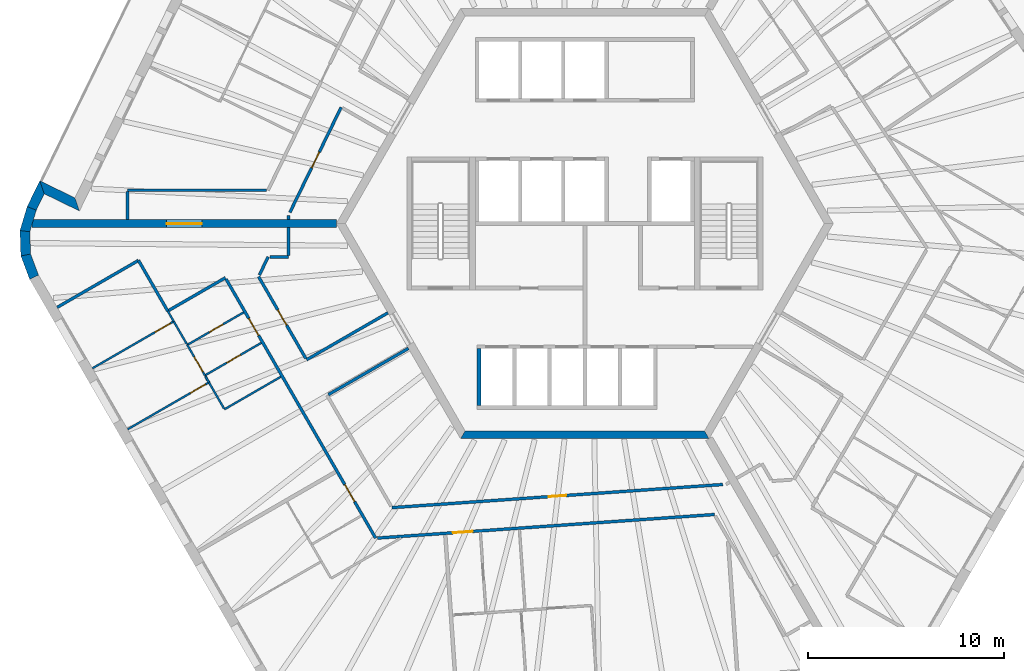
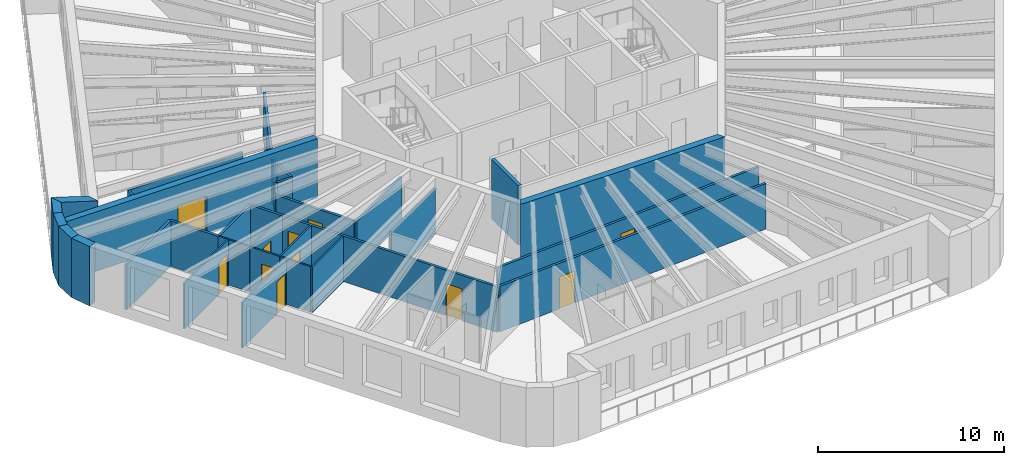
# One storey, part 4 of 12: 34 walls, 12 doors, 12 openings.
"""IFC4 building model written with IfcOpenShell, lengths in metres."""

from ifc_helpers import new_model, si_unit, direction, frame, frame_2d, origin, place, context, subcontext, project, spatial, polyline, rectangle, outline, extrude, material, layer, layer_set, type_object, element, fill, save


model = new_model("IFC4")

# Units and contexts
model_context = context("Model", 3, precision=1e-05, world=origin(), true_north=direction((0.0, 1.0)))
body_context = subcontext(model_context, "Body", "Model", "MODEL_VIEW")
ifc_project = project(units=[si_unit("LENGTHUNIT", "METRE"), si_unit("AREAUNIT", "SQUARE_METRE"), si_unit("VOLUMEUNIT", "CUBIC_METRE"), si_unit("PLANEANGLEUNIT", "RADIAN"), si_unit("MASSUNIT", "GRAM", prefix="KILO")], contexts=[model_context])

# Site, building, storey
site_placement = place(None, origin())
site = spatial("IfcSite", under=ifc_project, at=site_placement, CompositionType="ELEMENT")
building_placement = place(site_placement, origin())
building = spatial("IfcBuilding", under=site, at=building_placement, Name="Tarnside Tower", CompositionType="ELEMENT")
storey_placement = place(building_placement, frame((0.0, 0.0, 287.39990234375)))
storey = spatial("IfcBuildingStorey", under=building, at=storey_placement, Name="L69", CompositionType="ELEMENT", Elevation=287.39990234375)

# Walls
ifc_material_1 = material(Name="Gypsum board partition on steel studs", Category="steel")
ifc_layer_1 = layer(ifc_material_1, 0.10009765625)
ifc_layer_set_1 = layer_set([ifc_layer_1], Name="Bathroom wall 100")
wall_type_1 = type_object("IfcWallType", Name="Bathroom wall 100", PredefinedType="PARTITIONING", material=ifc_layer_set_1)
wall_1_placement = place(storey_placement, frame((-15.540283203125, -7.83349609375, 0.0), z_axis=(0.0, 0.0, 1.0), x_axis=(-0.866020521143, -0.500008456887, 0.0)))
element("IfcWall", 1, at=wall_1_placement, inside=storey, type_object=wall_type_1, Name="Bathroom wall 22118", PredefinedType="PARTITIONING", context=body_context, shape_type="SweptSolid", body=[
    extrude(rectangle(XDim=3.3251953125, YDim=0.10009765625, at=frame_2d((1.66259765625, 0.0))), origin(), (0.0, 0.0, 1.0), 2.98779296875),
])
wall_2_placement = place(storey_placement, frame((-18.44482421875, -9.45263671875, 0.0), z_axis=(0.0, 0.0, 1.0), x_axis=(-0.500024172624, 0.866011447264, 0.0)))
element("IfcWall", 2, at=wall_2_placement, inside=storey, type_object=wall_type_1, Name="Bathroom wall 22119", PredefinedType="PARTITIONING", context=body_context, shape_type="SweptSolid", body=[
    extrude(rectangle(XDim=1.541015625, YDim=0.10009765625, at=frame_2d((0.7705078125, 0.0))), origin(), (0.0, 0.0, 1.0), 2.98779296875),
])

# Wall, opening, door
wall_3_placement = place(storey_placement, frame((-17.440185546875, -4.54248046875, 0.0), z_axis=(0.0, 0.0, 1.0), x_axis=(-0.866020521143, -0.500008456887, 0.0)))
wall_3 = element("IfcWall", 3, at=wall_3_placement, inside=storey, type_object=wall_type_1, Name="Bathroom wall 22122", PredefinedType="PARTITIONING", context=body_context, shape_type="SweptSolid", body=[
    extrude(rectangle(XDim=3.3251953125, YDim=0.10009765625, at=frame_2d((1.66259765625, 0.0))), origin(), (0.0, 0.0, 1.0), 2.98779296875),
])
opening_1_placement = place(wall_3_placement, frame((1.22509765625, 0.0, 0.0)))
opening_1 = element("IfcOpeningElement", 4, at=opening_1_placement, cuts=wall_3, Name="Opening D-B1", PredefinedType="OPENING", context=body_context, shape_type="SweptSolid", body=[
    extrude(rectangle(XDim=0.800048828125, YDim=2.10009765625, at=frame_2d((0.39990234375, 1.050048828125))), frame((0.0, 0.06005859375, 0.0), z_axis=(0.0, -1.0, 0.0), x_axis=(1.0, 0.0, 0.0)), (0.0, 0.0, 1.0), 0.1201171875),
])
ifc_material_2 = material(Name="Timber door leaf", Category="wood")
door_type_1 = type_object("IfcDoorType", Name="Bathroom door 800", OperationType="NOTDEFINED", PredefinedType="DOOR", material=ifc_material_2)
door_1_placement = place(opening_1_placement, origin())
door_1 = element("IfcDoor", 5, at=door_1_placement, inside=storey, type_object=door_type_1, Name="Bathroom door 22031", OperationType="SINGLE_SWING_RIGHT", OverallHeight=2.10009765625, OverallWidth=0.800048828125, PredefinedType="DOOR", context=body_context, shape_type="SweptSolid", body=[
    extrude(rectangle(XDim=0.800048828125, YDim=2.10009765625, at=frame_2d((0.39990234375, 1.050048828125))), frame((0.0, 0.02490234375, 0.0), z_axis=(0.0, -1.0, 0.0), x_axis=(1.0, 0.0, 0.0)), (0.0, 0.0, 1.0), 0.050048828125),
])
fill(opening_1, door_1)

wall_4_placement = place(storey_placement, frame((-19.419677734375, -7.763916015625, 0.0), z_axis=(0.0, 0.0, 1.0), x_axis=(0.866002163101, 0.500040251884, 0.0)))
wall_4 = element("IfcWall", 6, at=wall_4_placement, inside=storey, type_object=wall_type_1, Name="Bathroom wall 22124", PredefinedType="PARTITIONING", context=body_context, shape_type="SweptSolid", body=[
    extrude(rectangle(XDim=3.324951171875, YDim=0.10009765625, at=frame_2d((1.66259765625, 0.0))), origin(), (0.0, 0.0, 1.0), 2.98779296875),
])
opening_2_placement = place(wall_4_placement, frame((1.300048828125, 0.0, 0.0)))
opening_2 = element("IfcOpeningElement", 7, at=opening_2_placement, cuts=wall_4, Name="Opening D-B1", PredefinedType="OPENING", context=body_context, shape_type="SweptSolid", body=[
    extrude(rectangle(XDim=0.800048828125, YDim=2.10009765625, at=frame_2d((0.39990234375, 1.050048828125))), frame((0.0, 0.06005859375, 0.0), z_axis=(0.0, -1.0, 0.0), x_axis=(1.0, 0.0, 0.0)), (0.0, 0.0, 1.0), 0.1201171875),
])
door_2_placement = place(opening_2_placement, origin())
door_2 = element("IfcDoor", 8, at=door_2_placement, inside=storey, type_object=door_type_1, Name="Bathroom door 22040", OperationType="SINGLE_SWING_LEFT", OverallHeight=2.10009765625, OverallWidth=0.800048828125, PredefinedType="DOOR", context=body_context, shape_type="SweptSolid", body=[
    extrude(rectangle(XDim=0.800048828125, YDim=2.10009765625, at=frame_2d((0.39990234375, 1.050048828125))), frame((0.0, 0.02490234375, 0.0), z_axis=(0.0, -1.0, 0.0), x_axis=(1.0, 0.0, 0.0)), (0.0, 0.0, 1.0), 0.050048828125),
])
fill(opening_2, door_2)

# Walls
wall_5_placement = place(storey_placement, frame((-21.32080078125, -4.47119140625, 0.0), z_axis=(0.0, 0.0, 1.0), x_axis=(0.499779910804, -0.866152435058, 0.0)))
element("IfcWall", 9, at=wall_5_placement, inside=storey, type_object=wall_type_1, Name="Bathroom wall 22125", PredefinedType="PARTITIONING", context=body_context, shape_type="SweptSolid", body=[
    extrude(rectangle(XDim=0.613037109375, YDim=0.10009765625, at=frame_2d((0.306640625, 0.0))), origin(), (0.0, 0.0, 1.0), 2.98779296875),
])
wall_6_placement = place(storey_placement, frame((-21.014404296875, -5.002197265625, 0.0), z_axis=(0.0, 0.0, 1.0), x_axis=(0.500074377092, -0.865982457891, 0.0)))
element("IfcWall", 10, at=wall_6_placement, inside=storey, type_object=wall_type_1, Name="Bathroom wall 22126", PredefinedType="PARTITIONING", context=body_context, shape_type="SweptSolid", body=[
    extrude(rectangle(XDim=1.341064453125, YDim=0.10009765625, at=frame_2d((0.67041015625, 0.0))), origin(), (0.0, 0.0, 1.0), 2.98779296875),
])
wall_7_placement = place(storey_placement, frame((-19.21337890625, -8.12158203125, 0.0), z_axis=(0.0, 0.0, 1.0), x_axis=(-0.499683639304, 0.866207977689, 0.0)))
element("IfcWall", 11, at=wall_7_placement, inside=storey, type_object=wall_type_1, Name="Bathroom wall 22128", PredefinedType="PARTITIONING", context=body_context, shape_type="SweptSolid", body=[
    extrude(rectangle(XDim=0.363037109375, YDim=0.10009765625, at=frame_2d((0.181640625, 0.0))), origin(), (0.0, 0.0, 1.0), 2.98779296875),
])
ifc_material_3 = material(Name="Concrete C60/75", Category="concrete")
ifc_layer_2 = layer(ifc_material_3, 0.39990234375)
ifc_layer_set_2 = layer_set([ifc_layer_2], Name="Core wall Z3 400 C60/75")
wall_type_2 = type_object("IfcWallType", Name="Core wall Z3 400 C60/75", PredefinedType="SHEAR", material=ifc_layer_set_2)
wall_8_placement = place(storey_placement, frame((-6.2353515625, -10.800048828125, -0.14990234375), z_axis=(0.0, 0.0, 1.0), x_axis=(1.0, 0.0, 0.0)))
element("IfcWall", 12, at=wall_8_placement, inside=storey, type_object=wall_type_2, Name="L69 core wall face 4", PredefinedType="SHEAR", context=body_context, shape_type="SweptSolid", body=[
    extrude(outline(polyline([(-0.115478515625, -0.199951171875), (12.586181640625, -0.199951171875), (12.355224609375, 0.199951171875), (0.115478515625, 0.199951171875), (-0.115478515625, -0.199951171875)])), origin(), (0.0, 0.0, 1.0), 3.89990234375),
])

# Wall, opening, door
wall_9_placement = place(storey_placement, frame((-12.70166015625, 0.0, -0.14990234375), z_axis=(0.0, 0.0, 1.0), x_axis=(-1.0, 0.0, 0.0)))
wall_9 = element("IfcWall", 13, at=wall_9_placement, inside=storey, type_object=wall_type_2, Name="L69 spine wall 2", PredefinedType="SHEAR", context=body_context, shape_type="SweptSolid", body=[
    extrude(rectangle(XDim=15.54443359375, YDim=0.39990234375, at=frame_2d((7.772216796875, 0.0))), origin(), (0.0, 0.0, 1.0), 3.89990234375),
])
opening_3_placement = place(wall_9_placement, frame((6.872314453125, 0.0, 0.14990234375)))
opening_3 = element("IfcOpeningElement", 14, at=opening_3_placement, cuts=wall_9, Name="Opening CD-SPN", PredefinedType="OPENING", context=body_context, shape_type="SweptSolid", body=[
    extrude(rectangle(XDim=1.800048828125, YDim=2.39990234375, at=frame_2d((0.89990234375, 1.199951171875))), frame((0.0, 0.2099609375, 0.0), z_axis=(0.0, -1.0, 0.0), x_axis=(1.0, 0.0, 0.0)), (0.0, 0.0, 1.0), 0.419921875),
])
ifc_material_4 = material(Name="Steel fire door", Category="steel")
door_type_2 = type_object("IfcDoorType", Name="Spine passage double door FD60 1800x2400", OperationType="NOTDEFINED", PredefinedType="DOOR", material=ifc_material_4)
door_3_placement = place(opening_3_placement, origin())
door_3 = element("IfcDoor", 15, at=door_3_placement, inside=storey, type_object=door_type_2, Name="L69 spine passage door 2", OperationType="DOUBLE_DOOR_SINGLE_SWING", OverallHeight=2.39990234375, OverallWidth=1.800048828125, PredefinedType="DOOR", context=body_context, shape_type="SweptSolid", body=[
    extrude(rectangle(XDim=1.800048828125, YDim=2.39990234375, at=frame_2d((0.89990234375, 1.199951171875))), frame((0.0, 0.02490234375, 0.0), z_axis=(0.0, -1.0, 0.0), x_axis=(1.0, 0.0, 0.0)), (0.0, 0.0, 1.0), 0.050048828125),
])
fill(opening_3, door_3)

# Walls
ifc_layer_3 = layer(ifc_material_1, 0.14990234375)
ifc_layer_set_3 = layer_set([ifc_layer_3], Name="Corridor wall 150 EI 60")
wall_type_3 = type_object("IfcWallType", Name="Corridor wall 150 EI 60", PredefinedType="PARTITIONING", material=ifc_layer_set_3)
wall_10_placement = place(storey_placement, frame((-16.277099609375, 1.699951171875, 0.0), z_axis=(0.0, 0.0, 1.0), x_axis=(-1.0, 0.0, 0.0)))
element("IfcWall", 16, at=wall_10_placement, inside=storey, type_object=wall_type_3, Name="Corridor wall 22015", PredefinedType="PARTITIONING", context=body_context, shape_type="SweptSolid", body=[
    extrude(rectangle(XDim=7.096923828125, YDim=0.14990234375, at=frame_2d((3.54833984375, 0.0))), origin(), (0.0, 0.0, 1.0), 2.98779296875),
])
wall_11_placement = place(storey_placement, frame((-23.3740234375, 1.625, 0.0), z_axis=(0.0, 0.0, 1.0), x_axis=(0.0, -1.0, 0.0)))
element("IfcWall", 17, at=wall_11_placement, inside=storey, type_object=wall_type_3, Name="Corridor wall 22016", PredefinedType="PARTITIONING", context=body_context, shape_type="SweptSolid", body=[
    extrude(rectangle(XDim=1.425048828125, YDim=0.14990234375, at=frame_2d((0.71240234375, 0.0))), origin(), (0.0, 0.0, 1.0), 2.98779296875),
])
wall_12_placement = place(storey_placement, frame((-15.15380859375, 0.199951171875, 0.0), z_axis=(0.0, 0.0, 1.0), x_axis=(0.0, 1.0, 0.0)))
element("IfcWall", 18, at=wall_12_placement, inside=storey, type_object=wall_type_3, Name="Corridor wall 22026", PredefinedType="PARTITIONING", context=body_context, shape_type="SweptSolid", body=[
    extrude(rectangle(XDim=0.210205078125, YDim=0.14990234375, at=frame_2d((0.10498046875, 0.0))), origin(), (0.0, 0.0, 1.0), 2.98779296875),
])

# Wall, opening, door
wall_13_placement = place(storey_placement, frame((-15.078857421875, 0.563720703125, 0.0), z_axis=(0.0, 0.0, 1.0), x_axis=(0.438367391904, 0.898795877669, 0.0)))
wall_13 = element("IfcWall", 19, at=wall_13_placement, inside=storey, type_object=wall_type_3, Name="Corridor wall 22027", PredefinedType="PARTITIONING", context=body_context, shape_type="SweptSolid", body=[
    extrude(rectangle(XDim=5.987060546875, YDim=0.14990234375, at=frame_2d((2.99365234375, 0.0))), origin(), (0.0, 0.0, 1.0), 2.98779296875),
])
opening_4_placement = place(wall_13_placement, frame((2.54345703125, 0.0, 0.0)))
opening_4 = element("IfcOpeningElement", 20, at=opening_4_placement, cuts=wall_13, Name="Opening D-S1", PredefinedType="OPENING", context=body_context, shape_type="SweptSolid", body=[
    extrude(rectangle(XDim=0.89990234375, YDim=2.10009765625, at=frame_2d((0.449951171875, 1.050048828125))), frame((0.0, 0.0849609375, 0.0), z_axis=(0.0, -1.0, 0.0), x_axis=(1.0, 0.0, 0.0)), (0.0, 0.0, 1.0), 0.169921875),
])
door_type_3 = type_object("IfcDoorType", Name="Service room door 900 FD30S", OperationType="NOTDEFINED", PredefinedType="DOOR", material=ifc_material_2)
door_4_placement = place(opening_4_placement, origin())
door_4 = element("IfcDoor", 21, at=door_4_placement, inside=storey, type_object=door_type_3, Name="Service door 22087", OperationType="SINGLE_SWING_LEFT", OverallHeight=2.10009765625, OverallWidth=0.89990234375, PredefinedType="DOOR", context=body_context, shape_type="SweptSolid", body=[
    extrude(rectangle(XDim=0.89990234375, YDim=2.10009765625, at=frame_2d((0.449951171875, 1.050048828125))), frame((0.0, 0.02490234375, 0.0), z_axis=(0.0, -1.0, 0.0), x_axis=(1.0, 0.0, 0.0)), (0.0, 0.0, 1.0), 0.050048828125),
])
fill(opening_4, door_4)

# Wall, openings, doors
wall_14_placement = place(storey_placement, frame((-18.337890625, -2.837890625, 0.0), z_axis=(0.0, 0.0, 1.0), x_axis=(0.499999693481, -0.866025580753, 0.0)))
wall_14 = element("IfcWall", 22, at=wall_14_placement, inside=storey, type_object=wall_type_3, Name="Corridor wall 22029", PredefinedType="PARTITIONING", context=body_context, shape_type="SweptSolid", body=[
    extrude(rectangle(XDim=15.29638671875, YDim=0.14990234375, at=frame_2d((7.648193359375, 0.0))), origin(), (0.0, 0.0, 1.0), 2.98779296875),
])
opening_5_placement = place(wall_14_placement, frame((2.324951171875, 0.0, 0.0)))
opening_5 = element("IfcOpeningElement", 23, at=opening_5_placement, cuts=wall_14, Name="Opening D-E1", PredefinedType="OPENING", context=body_context, shape_type="SweptSolid", body=[
    extrude(rectangle(XDim=1.0, YDim=2.10009765625, at=frame_2d((0.5, 1.050048828125))), frame((0.0, 0.0849609375, 0.0), z_axis=(0.0, -1.0, 0.0), x_axis=(1.0, 0.0, 0.0)), (0.0, 0.0, 1.0), 0.169921875),
])
opening_6_placement = place(wall_14_placement, frame((12.135986328125, 0.0, 0.0)))
opening_6 = element("IfcOpeningElement", 24, at=opening_6_placement, cuts=wall_14, Name="Opening D-E1", PredefinedType="OPENING", context=body_context, shape_type="SweptSolid", body=[
    extrude(rectangle(XDim=1.0, YDim=2.10009765625, at=frame_2d((0.5, 1.050048828125))), frame((0.0, 0.0849609375, 0.0), z_axis=(0.0, -1.0, 0.0), x_axis=(1.0, 0.0, 0.0)), (0.0, 0.0, 1.0), 0.169921875),
])
door_type_4 = type_object("IfcDoorType", Name="Unit entrance door 1000 FD30S", OperationType="NOTDEFINED", PredefinedType="DOOR", material=ifc_material_2)
door_5_placement = place(opening_5_placement, origin())
door_5 = element("IfcDoor", 25, at=door_5_placement, inside=storey, type_object=door_type_4, Name="Unit door 22030", OperationType="SINGLE_SWING_RIGHT", OverallHeight=2.10009765625, OverallWidth=1.0, PredefinedType="DOOR", context=body_context, shape_type="SweptSolid", body=[
    extrude(rectangle(XDim=1.0, YDim=2.10009765625, at=frame_2d((0.5, 1.050048828125))), frame((0.0, 0.02490234375, 0.0), z_axis=(0.0, -1.0, 0.0), x_axis=(1.0, 0.0, 0.0)), (0.0, 0.0, 1.0), 0.050048828125),
])
fill(opening_5, door_5)
door_6_placement = place(opening_6_placement, origin())
door_6 = element("IfcDoor", 26, at=door_6_placement, inside=storey, type_object=door_type_4, Name="Unit door 22041", OperationType="SINGLE_SWING_RIGHT", OverallHeight=2.10009765625, OverallWidth=1.0, PredefinedType="DOOR", context=body_context, shape_type="SweptSolid", body=[
    extrude(rectangle(XDim=1.0, YDim=2.10009765625, at=frame_2d((0.5, 1.050048828125))), frame((0.0, 0.02490234375, 0.0), z_axis=(0.0, -1.0, 0.0), x_axis=(1.0, 0.0, 0.0)), (0.0, 0.0, 1.0), 0.050048828125),
])
fill(opening_6, door_6)

# Walls
wall_15_placement = place(storey_placement, frame((-21.31982421875, -4.47314453125, 0.0), z_axis=(0.0, 0.0, 1.0), x_axis=(0.866007419912, 0.500031147688, 0.0)))
element("IfcWall", 27, at=wall_15_placement, inside=storey, type_object=wall_type_3, Name="Corridor wall 22031", PredefinedType="PARTITIONING", context=body_context, shape_type="SweptSolid", body=[
    extrude(rectangle(XDim=3.400146484375, YDim=0.14990234375, at=frame_2d((1.7001953125, 0.0))), origin(), (0.0, 0.0, 1.0), 2.98779296875),
])
wall_16_placement = place(storey_placement, frame((-26.97119140625, -4.284423828125, 0.0), z_axis=(0.0, 0.0, 1.0), x_axis=(0.866017831539, 0.500013115284, 0.0)))
element("IfcWall", 28, at=wall_16_placement, inside=storey, type_object=wall_type_3, Name="Corridor wall 22033", PredefinedType="PARTITIONING", context=body_context, shape_type="SweptSolid", body=[
    extrude(rectangle(XDim=4.798583984375, YDim=0.14990234375, at=frame_2d((2.3994140625, 0.0))), origin(), (0.0, 0.0, 1.0), 2.98779296875),
])
wall_17_placement = place(storey_placement, frame((-22.813720703125, -1.885498046875, 0.0), z_axis=(0.0, 0.0, 1.0), x_axis=(0.499983857782, -0.866034723298, 0.0)))
element("IfcWall", 29, at=wall_17_placement, inside=storey, type_object=wall_type_3, Name="Corridor wall 22034", PredefinedType="PARTITIONING", context=body_context, shape_type="SweptSolid", body=[
    extrude(rectangle(XDim=2.9912109375, YDim=0.14990234375, at=frame_2d((1.49560546875, 0.0))), origin(), (0.0, 0.0, 1.0), 2.98779296875),
])

# Wall, opening, door
wall_18_placement = place(storey_placement, frame((-10.6064453125, -16.0791015625, 0.0), z_axis=(0.0, 0.0, 1.0), x_axis=(0.997563356349, 0.069766396426, 0.0)))
wall_18 = element("IfcWall", 30, at=wall_18_placement, inside=storey, type_object=wall_type_3, Name="Corridor wall 22036", PredefinedType="PARTITIONING", context=body_context, shape_type="SweptSolid", body=[
    extrude(rectangle(XDim=17.27294921875, YDim=0.14990234375, at=frame_2d((8.636474609375, 0.0))), origin(), (0.0, 0.0, 1.0), 2.98779296875),
])
opening_7_placement = place(wall_18_placement, frame((3.87744140625, 0.0, 0.0)))
opening_7 = element("IfcOpeningElement", 31, at=opening_7_placement, cuts=wall_18, Name="Opening D-E1", PredefinedType="OPENING", context=body_context, shape_type="SweptSolid", body=[
    extrude(rectangle(XDim=1.0, YDim=2.10009765625, at=frame_2d((0.5, 1.050048828125))), frame((0.0, 0.0849609375, 0.0), z_axis=(0.0, -1.0, 0.0), x_axis=(1.0, 0.0, 0.0)), (0.0, 0.0, 1.0), 0.169921875),
])
door_7_placement = place(opening_7_placement, origin())
door_7 = element("IfcDoor", 32, at=door_7_placement, inside=storey, type_object=door_type_4, Name="Unit door 22046", OperationType="SINGLE_SWING_LEFT", OverallHeight=2.10009765625, OverallWidth=1.0, PredefinedType="DOOR", context=body_context, shape_type="SweptSolid", body=[
    extrude(rectangle(XDim=1.0, YDim=2.10009765625, at=frame_2d((0.5, 1.050048828125))), frame((0.0, 0.02490234375, 0.0), z_axis=(0.0, -1.0, 0.0), x_axis=(1.0, 0.0, 0.0)), (0.0, 0.0, 1.0), 0.050048828125),
])
fill(opening_7, door_7)

# Wall
wall_19_placement = place(storey_placement, frame((-10.065673828125, -4.565673828125, 0.0), z_axis=(0.0, 0.0, 1.0), x_axis=(-0.866037363387, -0.499979284789, 0.0)))
element("IfcWall", 33, at=wall_19_placement, inside=storey, type_object=wall_type_3, Name="Corridor wall 22046", PredefinedType="PARTITIONING", context=body_context, shape_type="SweptSolid", body=[
    extrude(rectangle(XDim=4.800048828125, YDim=0.14990234375, at=frame_2d((2.39990234375, 0.0))), origin(), (0.0, 0.0, 1.0), 2.98779296875),
])

# Wall, opening, door
wall_20_placement = place(storey_placement, frame((-14.26025390625, -6.900634765625, 0.0), z_axis=(0.0, 0.0, 1.0), x_axis=(-0.499978899972, 0.866037585549, 0.0)))
wall_20 = element("IfcWall", 34, at=wall_20_placement, inside=storey, type_object=wall_type_3, Name="Corridor wall 22047", PredefinedType="PARTITIONING", context=body_context, shape_type="SweptSolid", body=[
    extrude(rectangle(XDim=4.834716796875, YDim=0.14990234375, at=frame_2d((2.41748046875, 0.0))), origin(), (0.0, 0.0, 1.0), 2.98779296875),
])
opening_8_placement = place(wall_20_placement, frame((1.96728515625, 0.0, 0.0)))
opening_8 = element("IfcOpeningElement", 35, at=opening_8_placement, cuts=wall_20, Name="Opening D-S1", PredefinedType="OPENING", context=body_context, shape_type="SweptSolid", body=[
    extrude(rectangle(XDim=0.89990234375, YDim=2.10009765625, at=frame_2d((0.449951171875, 1.050048828125))), frame((0.0, 0.0849609375, 0.0), z_axis=(0.0, -1.0, 0.0), x_axis=(1.0, 0.0, 0.0)), (0.0, 0.0, 1.0), 0.169921875),
])
door_8_placement = place(opening_8_placement, origin())
door_8 = element("IfcDoor", 36, at=door_8_placement, inside=storey, type_object=door_type_3, Name="Service door 22088", OperationType="SINGLE_SWING_RIGHT", OverallHeight=2.10009765625, OverallWidth=0.89990234375, PredefinedType="DOOR", context=body_context, shape_type="SweptSolid", body=[
    extrude(rectangle(XDim=0.89990234375, YDim=2.10009765625, at=frame_2d((0.449951171875, 1.050048828125))), frame((0.0, 0.02490234375, 0.0), z_axis=(0.0, -1.0, 0.0), x_axis=(1.0, 0.0, 0.0)), (0.0, 0.0, 1.0), 0.050048828125),
])
fill(opening_8, door_8)

# Walls
wall_21_placement = place(storey_placement, frame((-16.637939453125, -2.63232421875, 0.0), z_axis=(0.0, 0.0, 1.0), x_axis=(0.438437541994, 0.898761660158, 0.0)))
element("IfcWall", 37, at=wall_21_placement, inside=storey, type_object=wall_type_3, Name="Corridor wall 22048", PredefinedType="PARTITIONING", context=body_context, shape_type="SweptSolid", body=[
    extrude(rectangle(XDim=1.037353515625, YDim=0.14990234375, at=frame_2d((0.5185546875, 0.0))), origin(), (0.0, 0.0, 1.0), 2.98779296875),
])
wall_22_placement = place(storey_placement, frame((-16.099609375, -1.699951171875, 0.0), z_axis=(0.0, 0.0, 1.0), x_axis=(1.0, 0.0, 0.0)))
element("IfcWall", 38, at=wall_22_placement, inside=storey, type_object=wall_type_3, Name="Corridor wall 22049", PredefinedType="PARTITIONING", context=body_context, shape_type="SweptSolid", body=[
    extrude(rectangle(XDim=0.94580078125, YDim=0.14990234375, at=frame_2d((0.472900390625, 0.0))), origin(), (0.0, 0.0, 1.0), 2.98779296875),
])
wall_23_placement = place(storey_placement, frame((-15.15380859375, -1.625, 0.0), z_axis=(0.0, 0.0, 1.0), x_axis=(0.0, 1.0, 0.0)))
element("IfcWall", 39, at=wall_23_placement, inside=storey, type_object=wall_type_3, Name="Corridor wall 22050", PredefinedType="PARTITIONING", context=body_context, shape_type="SweptSolid", body=[
    extrude(rectangle(XDim=1.425048828125, YDim=0.14990234375, at=frame_2d((0.71240234375, 0.0))), origin(), (0.0, 0.0, 1.0), 2.98779296875),
])

# Wall, opening, door
wall_24_placement = place(storey_placement, frame((7.05126953125, -13.340576171875, 0.0), z_axis=(0.0, 0.0, 1.0), x_axis=(-0.997563599815, -0.069762915103, 0.0)))
wall_24 = element("IfcWall", 40, at=wall_24_placement, inside=storey, type_object=wall_type_3, Name="Corridor wall 22052", PredefinedType="PARTITIONING", context=body_context, shape_type="SweptSolid", body=[
    extrude(rectangle(XDim=16.951904296875, YDim=0.14990234375, at=frame_2d((8.47607421875, 0.0))), origin(), (0.0, 0.0, 1.0), 2.98779296875),
])
opening_9_placement = place(wall_24_placement, frame((8.02587890625, 0.0, 0.0)))
opening_9 = element("IfcOpeningElement", 41, at=opening_9_placement, cuts=wall_24, Name="Opening D-S1", PredefinedType="OPENING", context=body_context, shape_type="SweptSolid", body=[
    extrude(rectangle(XDim=0.89990234375, YDim=2.10009765625, at=frame_2d((0.449951171875, 1.050048828125))), frame((0.0, 0.0849609375, 0.0), z_axis=(0.0, -1.0, 0.0), x_axis=(1.0, 0.0, 0.0)), (0.0, 0.0, 1.0), 0.169921875),
])
door_9_placement = place(opening_9_placement, origin())
door_9 = element("IfcDoor", 42, at=door_9_placement, inside=storey, type_object=door_type_3, Name="Service door 22089", OperationType="SINGLE_SWING_LEFT", OverallHeight=2.10009765625, OverallWidth=0.89990234375, PredefinedType="DOOR", context=body_context, shape_type="SweptSolid", body=[
    extrude(rectangle(XDim=0.89990234375, YDim=2.10009765625, at=frame_2d((0.449951171875, 1.050048828125))), frame((0.0, 0.02490234375, 0.0), z_axis=(0.0, -1.0, 0.0), x_axis=(1.0, 0.0, 0.0)), (0.0, 0.0, 1.0), 0.050048828125),
])
fill(opening_9, door_9)

# Walls
wall_25_placement = place(storey_placement, frame((-13.107666015625, -8.746826171875, 0.0), z_axis=(0.0, 0.0, 1.0), x_axis=(0.866024684746, 0.500001245408, 0.0)))
element("IfcWall", 43, at=wall_25_placement, inside=storey, type_object=wall_type_3, Name="Corridor wall 22054", PredefinedType="PARTITIONING", context=body_context, shape_type="SweptSolid", body=[
    extrude(rectangle(XDim=4.72509765625, YDim=0.14990234375, at=frame_2d((2.362548828125, 0.0))), origin(), (0.0, 0.0, 1.0), 2.98779296875),
])
ifc_material_5 = material(Name="Concrete C40/50", Category="concrete")
ifc_layer_4 = layer(ifc_material_5, 0.199951171875)
ifc_layer_set_4 = layer_set([ifc_layer_4], Name="Lift shaft wall 200 C40/50")
wall_type_4 = type_object("IfcWallType", Name="Lift shaft wall 200 C40/50", PredefinedType="SHEAR", material=ifc_layer_set_4)
wall_26_placement = place(storey_placement, frame((-5.39990234375, -9.300048828125, -0.25), z_axis=(0.0, 0.0, 1.0), x_axis=(0.0, 1.0, 0.0)))
element("IfcWall", 44, at=wall_26_placement, inside=storey, type_object=wall_type_4, Name="L69 lift shaft partition R41", PredefinedType="SHEAR", context=body_context, shape_type="SweptSolid", body=[
    extrude(rectangle(XDim=2.900146484375, YDim=0.199951171875, at=frame_2d((1.4501953125, 0.0))), origin(), (0.0, 0.0, 1.0), 3.900146484375),
])
ifc_material_6 = material(Name="Dark zinc cladding")
ifc_layer_5 = layer(ifc_material_6, 0.10205078125)
ifc_material_7 = material(Name="Concrete C60/75 precast", Category="concrete")
ifc_layer_6 = layer(ifc_material_7, 0.298095703125)
ifc_material_8 = material(Name="Mineral wool insulation")
ifc_layer_7 = layer(ifc_material_8, 0.10009765625)
ifc_layer_set_5 = layer_set([ifc_layer_5, ifc_layer_6, ifc_layer_7], Name="Loggia wall 500 zinc faced")
wall_type_5 = type_object("IfcWallType", Name="Loggia wall 500 zinc faced", PredefinedType="SOLIDWALL", material=ifc_layer_set_5)
wall_27_placement = place(storey_placement, frame((-25.9482421875, 0.97607421875, -0.14990234375), z_axis=(0.0, 0.0, 1.0), x_axis=(-0.898802465371, 0.438353884714, 0.0)))
element("IfcWall", 45, at=wall_27_placement, inside=storey, type_object=wall_type_5, Name="Tube wall L69 F2 return 07", PredefinedType="SOLIDWALL", context=body_context, shape_type="SweptSolid", body=[
    extrude(outline(polyline([(0.25, -0.25), (2.25, -0.25), (1.75, 0.25), (-0.25, 0.25), (0.25, -0.25)])), origin(), (0.0, 0.0, 1.0), 3.89990234375),
])
wall_28_placement = place(storey_placement, frame((-27.745849609375, 1.852783203125, -0.14990234375), z_axis=(0.0, 0.0, 1.0), x_axis=(-0.438319390103, -0.898819287877, 0.0)))
element("IfcWall", 46, at=wall_28_placement, inside=storey, type_object=wall_type_5, Name="Tube wall L69 F2 stub 08", PredefinedType="SOLIDWALL", context=body_context, shape_type="SweptSolid", body=[
    extrude(outline(polyline([(-0.25, -0.25), (1.22021484375, -0.25), (1.17919921875, 0.25), (0.25, 0.25), (-0.25, -0.25)])), origin(), (0.0, 0.0, 1.0), 3.89990234375),
])

# Wall, opening, door
ifc_layer_8 = layer(ifc_material_1, 0.10009765625)
ifc_layer_set_6 = layer_set([ifc_layer_8], Name="Partition 100")
wall_type_6 = type_object("IfcWallType", Name="Partition 100", PredefinedType="PARTITIONING", material=ifc_layer_set_6)
wall_29_placement = place(storey_placement, frame((-19.257568359375, -8.144775390625, 0.0), z_axis=(0.0, 0.0, 1.0), x_axis=(-0.866033238375, -0.499986429846, 0.0)))
wall_29 = element("IfcWall", 47, at=wall_29_placement, inside=storey, type_object=wall_type_6, Name="Partition wall 22117", PredefinedType="PARTITIONING", context=body_context, shape_type="SweptSolid", body=[
    extrude(rectangle(XDim=4.750244140625, YDim=0.10009765625, at=frame_2d((2.375, 0.0))), origin(), (0.0, 0.0, 1.0), 2.98779296875),
])
opening_10_placement = place(wall_29_placement, frame((0.14990234375, 0.0, 0.0)))
opening_10 = element("IfcOpeningElement", 48, at=opening_10_placement, cuts=wall_29, Name="Opening D-I1", PredefinedType="OPENING", context=body_context, shape_type="SweptSolid", body=[
    extrude(rectangle(XDim=0.89990234375, YDim=2.10009765625, at=frame_2d((0.449951171875, 1.050048828125))), frame((0.0, 0.06005859375, 0.0), z_axis=(0.0, -1.0, 0.0), x_axis=(1.0, 0.0, 0.0)), (0.0, 0.0, 1.0), 0.1201171875),
])
door_type_5 = type_object("IfcDoorType", Name="Internal door 900", OperationType="NOTDEFINED", PredefinedType="DOOR", material=ifc_material_2)
door_10_placement = place(opening_10_placement, origin())
door_10 = element("IfcDoor", 49, at=door_10_placement, inside=storey, type_object=door_type_5, Name="Internal door 22039", OperationType="SINGLE_SWING_RIGHT", OverallHeight=2.10009765625, OverallWidth=0.89990234375, PredefinedType="DOOR", context=body_context, shape_type="SweptSolid", body=[
    extrude(rectangle(XDim=0.89990234375, YDim=2.10009765625, at=frame_2d((0.449951171875, 1.050048828125))), frame((0.0, 0.02490234375, 0.0), z_axis=(0.0, -1.0, 0.0), x_axis=(1.0, 0.0, 0.0)), (0.0, 0.0, 1.0), 0.050048828125),
])
fill(opening_10, door_10)

wall_30_placement = place(storey_placement, frame((-20.32080078125, -6.203369140625, 0.0), z_axis=(0.0, 0.0, 1.0), x_axis=(0.500054364951, -0.86599401389, 0.0)))
wall_30 = element("IfcWall", 50, at=wall_30_placement, inside=storey, type_object=wall_type_6, Name="Partition wall 22123", PredefinedType="PARTITIONING", context=body_context, shape_type="SweptSolid", body=[
    extrude(rectangle(XDim=1.803955078125, YDim=0.10009765625, at=frame_2d((0.90185546875, 0.0))), origin(), (0.0, 0.0, 1.0), 2.98779296875),
])
opening_11_placement = place(wall_30_placement, frame((0.7041015625, 0.0, 0.0)))
opening_11 = element("IfcOpeningElement", 51, at=opening_11_placement, cuts=wall_30, Name="Opening D-I1", PredefinedType="OPENING", context=body_context, shape_type="SweptSolid", body=[
    extrude(rectangle(XDim=0.89990234375, YDim=2.10009765625, at=frame_2d((0.449951171875, 1.050048828125))), frame((0.0, 0.06005859375, 0.0), z_axis=(0.0, -1.0, 0.0), x_axis=(1.0, 0.0, 0.0)), (0.0, 0.0, 1.0), 0.1201171875),
])
door_11_placement = place(opening_11_placement, origin())
door_11 = element("IfcDoor", 52, at=door_11_placement, inside=storey, type_object=door_type_5, Name="Internal door 22034", OperationType="SINGLE_SWING_RIGHT", OverallHeight=2.10009765625, OverallWidth=0.89990234375, PredefinedType="DOOR", context=body_context, shape_type="SweptSolid", body=[
    extrude(rectangle(XDim=0.89990234375, YDim=2.10009765625, at=frame_2d((0.449951171875, 1.050048828125))), frame((0.0, 0.02490234375, 0.0), z_axis=(0.0, -1.0, 0.0), x_axis=(1.0, 0.0, 0.0)), (0.0, 0.0, 1.0), 0.050048828125),
])
fill(opening_11, door_11)

wall_31_placement = place(storey_placement, frame((-25.171142578125, -7.402099609375, 0.0), z_axis=(0.0, 0.0, 1.0), x_axis=(0.866020389056, 0.500008685663, 0.0)))
wall_31 = element("IfcWall", 53, at=wall_31_placement, inside=storey, type_object=wall_type_6, Name="Partition wall 22127", PredefinedType="PARTITIONING", context=body_context, shape_type="SweptSolid", body=[
    extrude(rectangle(XDim=4.75, YDim=0.10009765625, at=frame_2d((2.375, 0.0))), origin(), (0.0, 0.0, 1.0), 2.98779296875),
])
opening_12_placement = place(wall_31_placement, frame((3.699951171875, 0.0, 0.0)))
opening_12 = element("IfcOpeningElement", 54, at=opening_12_placement, cuts=wall_31, Name="Opening D-I1", PredefinedType="OPENING", context=body_context, shape_type="SweptSolid", body=[
    extrude(rectangle(XDim=0.89990234375, YDim=2.10009765625, at=frame_2d((0.449951171875, 1.050048828125))), frame((0.0, 0.06005859375, 0.0), z_axis=(0.0, -1.0, 0.0), x_axis=(1.0, 0.0, 0.0)), (0.0, 0.0, 1.0), 0.1201171875),
])
door_12_placement = place(opening_12_placement, origin())
door_12 = element("IfcDoor", 55, at=door_12_placement, inside=storey, type_object=door_type_5, Name="Internal door 22037", OperationType="SINGLE_SWING_RIGHT", OverallHeight=2.10009765625, OverallWidth=0.89990234375, PredefinedType="DOOR", context=body_context, shape_type="SweptSolid", body=[
    extrude(rectangle(XDim=0.89990234375, YDim=2.10009765625, at=frame_2d((0.449951171875, 1.050048828125))), frame((0.0, 0.02490234375, 0.0), z_axis=(0.0, -1.0, 0.0), x_axis=(1.0, 0.0, 0.0)), (0.0, 0.0, 1.0), 0.050048828125),
])
fill(opening_12, door_12)

# Walls
ifc_material_9 = material(Name="Facing brick", Category="masonry")
ifc_layer_9 = layer(ifc_material_9, 0.10205078125)
ifc_layer_10 = layer(ifc_material_7, 0.298095703125)
ifc_layer_11 = layer(ifc_material_8, 0.10009765625)
ifc_layer_set_7 = layer_set([ifc_layer_9, ifc_layer_10, ifc_layer_11], Name="Tube wall 500 brick faced")
wall_type_7 = type_object("IfcWallType", Name="Tube wall 500 brick faced", PredefinedType="SOLIDWALL", material=ifc_layer_set_7)
wall_32_placement = place(storey_placement, frame((-28.271728515625, 0.7744140625, -0.14990234375), z_axis=(0.0, 0.0, 1.0), x_axis=(-0.286813843218, -0.957986335674, 0.0)))
element("IfcWall", 56, at=wall_32_placement, inside=storey, type_object=wall_type_7, Name="Tube wall L69 F2 chord 09", PredefinedType="SOLIDWALL", context=body_context, shape_type="SweptSolid", body=[
    extrude(outline(polyline([(-0.0205078125, -0.25), (1.25732421875, -0.25), (1.17529296875, 0.25), (0.0205078125, 0.25), (-0.0205078125, -0.25)])), origin(), (0.0, 0.0, 1.0), 3.89990234375),
])
wall_33_placement = place(storey_placement, frame((-28.62060546875, -0.390869140625, -0.14990234375), z_axis=(0.0, 0.0, 1.0), x_axis=(0.034925456137, -0.999389920158, 0.0)))
element("IfcWall", 57, at=wall_33_placement, inside=storey, type_object=wall_type_7, Name="Tube wall L69 F2 chord 10", PredefinedType="SOLIDWALL", context=body_context, shape_type="SweptSolid", body=[
    extrude(outline(polyline([(-0.041015625, -0.25), (1.25732421875, -0.25), (1.17529296875, 0.25), (0.041015625, 0.25), (-0.041015625, -0.25)])), origin(), (0.0, 0.0, 1.0), 3.89990234375),
])
wall_34_placement = place(storey_placement, frame((-28.578125, -1.6064453125, -0.14990234375), z_axis=(0.0, 0.0, 1.0), x_axis=(0.352838463023, -0.935684251771, 0.0)))
element("IfcWall", 58, at=wall_34_placement, inside=storey, type_object=wall_type_7, Name="Tube wall L69 F2 chord 11", PredefinedType="SOLIDWALL", context=body_context, shape_type="SweptSolid", body=[
    extrude(outline(polyline([(-0.041015625, -0.25), (1.23681640625, -0.25), (1.19580078125, 0.25), (0.041015625, 0.25), (-0.041015625, -0.25)])), origin(), (0.0, 0.0, 1.0), 3.89990234375),
])

save(model, "model.ifc")
